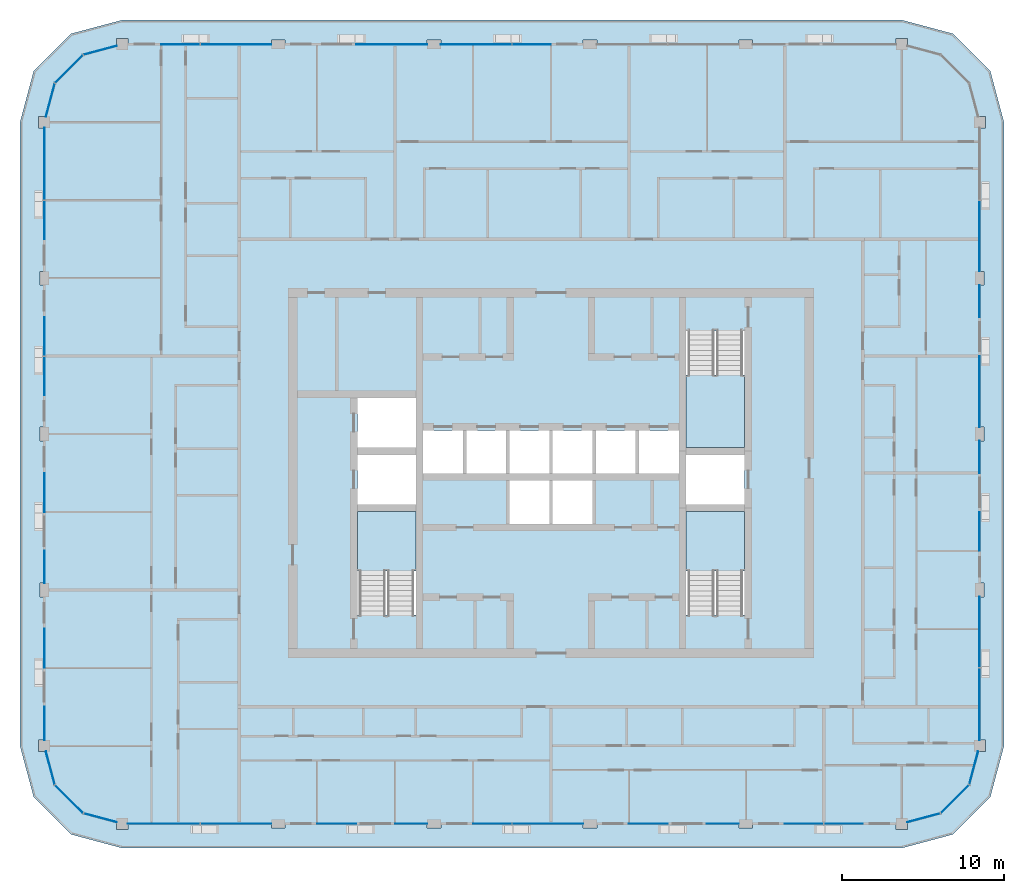
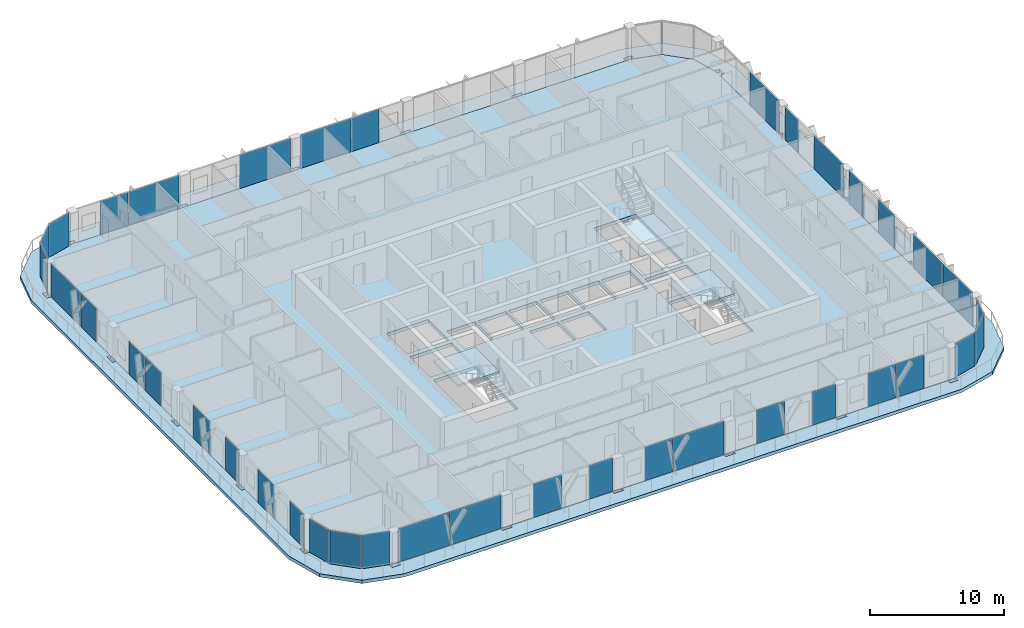
# One storey, part 7 of 22: 39 plates, 5 slabs, 22 elements without a shape of their own.
"""IFC4 building model written with IfcOpenShell, lengths in metres."""

from ifc_helpers import new_model, si_unit, direction, frame, origin, origin_2d, place, context, subcontext, project, spatial, polyline, rectangle, outline, extrude, material, layer, layer_set, type_object, element, aggregate, save


model = new_model("IFC4")

# Units and contexts
model_context = context("Model", 3, precision=1e-05, world=origin(), true_north=direction((0.0, 1.0)))
body_context = subcontext(model_context, "Body", "Model", "MODEL_VIEW")
ifc_project = project(units=[si_unit("LENGTHUNIT", "METRE"), si_unit("AREAUNIT", "SQUARE_METRE"), si_unit("VOLUMEUNIT", "CUBIC_METRE"), si_unit("PLANEANGLEUNIT", "RADIAN"), si_unit("MASSUNIT", "GRAM", prefix="KILO")], contexts=[model_context])

# Site, building, storey
site_placement = place(None, origin())
site = spatial("IfcSite", under=ifc_project, at=site_placement, CompositionType="ELEMENT")
building_placement = place(site_placement, origin())
building = spatial("IfcBuilding", under=site, at=building_placement, Name="Madar Terraces", CompositionType="ELEMENT")
storey_placement = place(building_placement, frame((0.0, 0.0, 259.699951171875)))
storey = spatial("IfcBuildingStorey", under=building, at=storey_placement, Name="L68", CompositionType="ELEMENT", Elevation=259.699951171875)

# Slabs
ifc_material_1 = material(Name="Concrete C50/60", Category="concrete")
ifc_layer_1 = layer(ifc_material_1, 0.300048828125)
ifc_layer_set_1 = layer_set([ifc_layer_1], Name="Balcony band 300")
slab_type_1 = type_object("IfcSlabType", Name="Balcony band 300", PredefinedType="FLOOR", material=ifc_layer_set_1)
slab_1_placement = place(storey_placement, frame((0.0, 0.0, -0.300048828125)))
element("IfcSlab", 1, at=slab_1_placement, inside=storey, type_object=slab_type_1, Name="Balcony band", PredefinedType="FLOOR", context=body_context, shape_type="SweptSolid", body=[
    extrude(outline(polyline([(4.800048828125, 3.300048828125), (1.64990234375, 4.14404296875), (-0.656005859375, 6.449951171875), (-1.5, 9.60009765625), (-1.5, 48.0), (-0.656005859375, 51.14990234375), (1.64990234375, 53.4560546875), (4.800048828125, 54.300048828125), (52.800048828125, 54.300048828125), (55.949951171875, 53.4560546875), (58.256103515625, 51.14990234375), (59.10009765625, 48.0), (59.10009765625, 9.60009765625), (58.256103515625, 6.449951171875), (55.949951171875, 4.14404296875), (52.800048828125, 3.300048828125), (4.800048828125, 3.300048828125)]), holes=[polyline([(5.14990234375, 4.449951171875), (5.14990234375, 4.800048828125), (13.97509765625, 4.800048828125), (13.97509765625, 4.52490234375), (14.824951171875, 4.52490234375), (14.824951171875, 4.800048828125), (23.574951171875, 4.800048828125), (23.574951171875, 4.52490234375), (24.425048828125, 4.52490234375), (24.425048828125, 4.800048828125), (33.175048828125, 4.800048828125), (33.175048828125, 4.52490234375), (34.02490234375, 4.52490234375), (34.02490234375, 4.800048828125), (42.77490234375, 4.800048828125), (42.77490234375, 4.52490234375), (43.625, 4.52490234375), (43.625, 4.800048828125), (52.449951171875, 4.800048828125), (52.449951171875, 4.449951171875), (53.14990234375, 4.449951171875), (53.14990234375, 4.893798828125), (55.199951171875, 5.443115234375), (56.956787109375, 7.199951171875), (57.506103515625, 9.25), (57.949951171875, 9.25), (57.949951171875, 9.949951171875), (57.60009765625, 9.949951171875), (57.60009765625, 18.77490234375), (57.875, 18.77490234375), (57.875, 19.625), (57.60009765625, 19.625), (57.60009765625, 28.375), (57.875, 28.375), (57.875, 29.22509765625), (57.60009765625, 29.22509765625), (57.60009765625, 37.97509765625), (57.875, 37.97509765625), (57.875, 38.824951171875), (57.60009765625, 38.824951171875), (57.60009765625, 47.64990234375), (57.949951171875, 47.64990234375), (57.949951171875, 48.35009765625), (57.506103515625, 48.35009765625), (56.956787109375, 50.39990234375), (55.199951171875, 52.156982421875), (53.14990234375, 52.706298828125), (53.14990234375, 53.14990234375), (52.449951171875, 53.14990234375), (52.449951171875, 52.800048828125), (43.625, 52.800048828125), (43.625, 53.074951171875), (42.77490234375, 53.074951171875), (42.77490234375, 52.800048828125), (34.02490234375, 52.800048828125), (34.02490234375, 53.074951171875), (33.175048828125, 53.074951171875), (33.175048828125, 52.800048828125), (24.425048828125, 52.800048828125), (24.425048828125, 53.074951171875), (23.574951171875, 53.074951171875), (23.574951171875, 52.800048828125), (14.824951171875, 52.800048828125), (14.824951171875, 53.074951171875), (13.97509765625, 53.074951171875), (13.97509765625, 52.800048828125), (5.14990234375, 52.800048828125), (5.14990234375, 53.14990234375), (4.449951171875, 53.14990234375), (4.449951171875, 52.706298828125), (2.39990234375, 52.156982421875), (0.64306640625, 50.39990234375), (0.09375, 48.35009765625), (-0.35009765625, 48.35009765625), (-0.35009765625, 47.64990234375), (0.0, 47.64990234375), (0.0, 38.824951171875), (-0.27490234375, 38.824951171875), (-0.27490234375, 37.97509765625), (0.0, 37.97509765625), (0.0, 29.22509765625), (-0.27490234375, 29.22509765625), (-0.27490234375, 28.375), (0.0, 28.375), (0.0, 19.625), (-0.27490234375, 19.625), (-0.27490234375, 18.77490234375), (0.0, 18.77490234375), (0.0, 9.949951171875), (-0.35009765625, 9.949951171875), (-0.35009765625, 9.25), (0.09375, 9.25), (0.64306640625, 7.199951171875), (2.39990234375, 5.443115234375), (4.449951171875, 4.893798828125), (4.449951171875, 4.449951171875), (5.14990234375, 4.449951171875)])]), origin(), (0.0, 0.0, 1.0), 0.300048828125),
])
ifc_material_2 = material(Name="Concrete C50/60", Category="concrete")
ifc_layer_2 = layer(ifc_material_2, 0.300048828125)
ifc_layer_set_2 = layer_set([ifc_layer_2], Name="FS2 PT flat slab 300")
slab_type_2 = type_object("IfcSlabType", Name="FS2 PT flat slab 300", PredefinedType="FLOOR", material=ifc_layer_set_2)
slab_2_placement = place(storey_placement, frame((0.0, 0.0, -0.300048828125)))
element("IfcSlab", 2, at=slab_2_placement, inside=storey, type_object=slab_type_2, Name="Floor slab L68 (1)", PredefinedType="FLOOR", context=body_context, shape_type="SweptSolid", body=[
    extrude(outline(polyline([(52.800048828125, 4.800048828125), (55.199951171875, 5.443115234375), (56.95703125, 7.199951171875), (57.60009765625, 9.60009765625), (57.60009765625, 48.0), (56.95703125, 50.39990234375), (55.199951171875, 52.156982421875), (52.800048828125, 52.800048828125), (4.800048828125, 52.800048828125), (2.39990234375, 52.156982421875), (0.64306640625, 50.39990234375), (0.0, 48.0), (0.0, 9.60009765625), (0.64306640625, 7.199951171875), (2.39990234375, 5.443115234375), (4.800048828125, 4.800048828125), (52.800048828125, 4.800048828125)]), holes=[polyline([(22.875, 17.64990234375), (19.27490234375, 17.64990234375), (19.27490234375, 24.02490234375), (22.875, 24.02490234375), (22.875, 17.64990234375)]), polyline([(28.6416015625, 23.27490234375), (28.6416015625, 25.925048828125), (31.10009765625, 25.925048828125), (31.10009765625, 23.27490234375), (28.6416015625, 23.27490234375)]), polyline([(19.27490234375, 24.47509765625), (19.27490234375, 27.52490234375), (22.875, 27.52490234375), (22.875, 24.47509765625), (19.27490234375, 24.47509765625)]), polyline([(23.324951171875, 26.375), (23.324951171875, 29.02490234375), (25.783447265625, 29.02490234375), (25.783447265625, 26.375), (23.324951171875, 26.375)]), polyline([(25.9833984375, 26.375), (25.9833984375, 29.02490234375), (28.441650390625, 29.02490234375), (28.441650390625, 26.375), (25.9833984375, 26.375)]), polyline([(28.6416015625, 26.375), (28.6416015625, 29.02490234375), (31.10009765625, 29.02490234375), (31.10009765625, 26.375), (28.6416015625, 26.375)]), polyline([(19.27490234375, 27.97509765625), (19.27490234375, 31.02490234375), (22.875, 31.02490234375), (22.875, 27.97509765625), (19.27490234375, 27.97509765625)]), polyline([(43.125, 17.64990234375), (39.52490234375, 17.64990234375), (39.52490234375, 24.02490234375), (43.125, 24.02490234375), (43.125, 17.64990234375)]), polyline([(31.300048828125, 23.27490234375), (31.300048828125, 25.925048828125), (33.75830078125, 25.925048828125), (33.75830078125, 23.27490234375), (31.300048828125, 23.27490234375)]), polyline([(39.52490234375, 24.47509765625), (39.52490234375, 27.52490234375), (43.125, 27.52490234375), (43.125, 24.47509765625), (39.52490234375, 24.47509765625)]), polyline([(31.300048828125, 26.375), (31.300048828125, 29.02490234375), (33.75830078125, 29.02490234375), (33.75830078125, 26.375), (31.300048828125, 26.375)]), polyline([(33.958251953125, 26.375), (33.958251953125, 29.02490234375), (36.416748046875, 29.02490234375), (36.416748046875, 26.375), (33.958251953125, 26.375)]), polyline([(36.61669921875, 26.375), (36.61669921875, 29.02490234375), (39.074951171875, 29.02490234375), (39.074951171875, 26.375), (36.61669921875, 26.375)]), polyline([(39.52490234375, 27.97509765625), (39.52490234375, 35.14990234375), (43.125, 35.14990234375), (43.125, 27.97509765625), (39.52490234375, 27.97509765625)])]), origin(), (0.0, 0.0, 1.0), 0.300048828125),
])

# Curtain wall, plates
ifc_material_3 = material(Name="Glass, ceramic frit dark grey, with black aluminium frame", Category="aluminium")
ifc_layer_3 = layer(ifc_material_3, 0.199951171875)
ifc_layer_set_3 = layer_set([ifc_layer_3], Name="Facade curtain wall, fritted glass")
curtain_wall_type = type_object("IfcCurtainWallType", Name="Facade curtain wall, fritted glass", PredefinedType="NOTDEFINED", material=ifc_layer_set_3)
curtain_wall_1_placement = place(storey_placement, origin())
curtain_wall_1 = element("IfcCurtainWall", 3, at=curtain_wall_1_placement, inside=storey, type_object=curtain_wall_type, Name="Outer skin curtain wall south bay 1", PredefinedType="NOTDEFINED")
ifc_material_4 = material(Name="Glass, ceramic frit dark grey", Category="glass")
ifc_layer_4 = layer(ifc_material_4, 0.028076171875)
ifc_layer_set_4 = layer_set([ifc_layer_4], Name="Facade glass panel 28")
plate_type = type_object("IfcPlateType", Name="Facade glass panel 28", PredefinedType="CURTAIN_PANEL", material=ifc_layer_set_4)
plate_1_placement = place(storey_placement, frame((7.360107421875, 4.800048828125, 0.0), z_axis=(0.0, 0.0, 1.0), x_axis=(1.0, 0.0, 0.0)))
plate_1 = element("IfcPlate", 4, at=plate_1_placement, type_object=plate_type, Name="Panel 1", PredefinedType="CURTAIN_PANEL", context=body_context, shape_type="SweptSolid", body=[
    extrude(rectangle(XDim=4.419921875, YDim=0.028076171875, at=origin_2d()), origin(), (0.0, 0.0, 1.0), 3.0400390625),
])
plate_2_placement = place(storey_placement, frame((11.802490234375, 4.800048828125, 0.0), z_axis=(0.0, 0.0, 1.0), x_axis=(1.0, 0.0, 0.0)))
plate_2 = element("IfcPlate", 5, at=plate_2_placement, type_object=plate_type, Name="Panel 2", PredefinedType="CURTAIN_PANEL", context=body_context, shape_type="SweptSolid", body=[
    extrude(rectangle(XDim=4.344970703125, YDim=0.028076171875, at=origin_2d()), origin(), (0.0, 0.0, 1.0), 3.0400390625),
])
aggregate(curtain_wall_1, [plate_1, plate_2])

curtain_wall_2_placement = place(storey_placement, origin())
curtain_wall_2 = element("IfcCurtainWall", 6, at=curtain_wall_2_placement, inside=storey, type_object=curtain_wall_type, Name="Outer skin curtain wall south bay 2", PredefinedType="NOTDEFINED")
plate_3_placement = place(storey_placement, frame((18.0, 4.800048828125, 0.0), z_axis=(0.0, 0.0, 1.0), x_axis=(1.0, 0.0, 0.0)))
plate_3 = element("IfcPlate", 7, at=plate_3_placement, type_object=plate_type, Name="Panel 1", PredefinedType="CURTAIN_PANEL", context=body_context, shape_type="SweptSolid", body=[
    extrude(rectangle(XDim=2.39990234375, YDim=0.028076171875, at=origin_2d()), origin(), (0.0, 0.0, 1.0), 3.0400390625),
])
plate_4_placement = place(storey_placement, frame((22.58740234375, 4.800048828125, 0.0), z_axis=(0.0, 0.0, 1.0), x_axis=(1.0, 0.0, 0.0)))
plate_4 = element("IfcPlate", 8, at=plate_4_placement, type_object=plate_type, Name="Panel 2", PredefinedType="CURTAIN_PANEL", context=body_context, shape_type="SweptSolid", body=[
    extrude(rectangle(XDim=1.97509765625, YDim=0.028076171875, at=origin_2d()), origin(), (0.0, 0.0, 1.0), 3.0400390625),
])
aggregate(curtain_wall_2, [plate_3, plate_4])

curtain_wall_3_placement = place(storey_placement, origin())
curtain_wall_3 = element("IfcCurtainWall", 9, at=curtain_wall_3_placement, inside=storey, type_object=curtain_wall_type, Name="Outer skin curtain wall south bay 3", PredefinedType="NOTDEFINED")
plate_5_placement = place(storey_placement, frame((27.5849609375, 4.800048828125, 0.0), z_axis=(0.0, 0.0, 1.0), x_axis=(1.0, 0.0, 0.0)))
plate_5 = element("IfcPlate", 10, at=plate_5_placement, type_object=plate_type, Name="Panel 1", PredefinedType="CURTAIN_PANEL", context=body_context, shape_type="SweptSolid", body=[
    extrude(rectangle(XDim=2.3701171875, YDim=0.028076171875, at=origin_2d()), origin(), (0.0, 0.0, 1.0), 3.0400390625),
])
plate_6_placement = place(storey_placement, frame((31.00244140625, 4.800048828125, 0.0), z_axis=(0.0, 0.0, 1.0), x_axis=(1.0, 0.0, 0.0)))
plate_6 = element("IfcPlate", 11, at=plate_6_placement, type_object=plate_type, Name="Panel 2", PredefinedType="CURTAIN_PANEL", context=body_context, shape_type="SweptSolid", body=[
    extrude(rectangle(XDim=4.344970703125, YDim=0.028076171875, at=origin_2d()), origin(), (0.0, 0.0, 1.0), 3.0400390625),
])
aggregate(curtain_wall_3, [plate_5, plate_6])

curtain_wall_4_placement = place(storey_placement, origin())
curtain_wall_4 = element("IfcCurtainWall", 12, at=curtain_wall_4_placement, inside=storey, type_object=curtain_wall_type, Name="Outer skin curtain wall south bay 4", PredefinedType="NOTDEFINED")
plate_7_placement = place(storey_placement, frame((37.199951171875, 4.800048828125, 0.0), z_axis=(0.0, 0.0, 1.0), x_axis=(1.0, 0.0, 0.0)))
plate_7 = element("IfcPlate", 13, at=plate_7_placement, type_object=plate_type, Name="Panel 1", PredefinedType="CURTAIN_PANEL", context=body_context, shape_type="SweptSolid", body=[
    extrude(rectangle(XDim=2.39990234375, YDim=0.028076171875, at=origin_2d()), origin(), (0.0, 0.0, 1.0), 3.0400390625),
])
plate_8_placement = place(storey_placement, frame((41.78759765625, 4.800048828125, 0.0), z_axis=(0.0, 0.0, 1.0), x_axis=(1.0, 0.0, 0.0)))
plate_8 = element("IfcPlate", 14, at=plate_8_placement, type_object=plate_type, Name="Panel 2", PredefinedType="CURTAIN_PANEL", context=body_context, shape_type="SweptSolid", body=[
    extrude(rectangle(XDim=1.97509765625, YDim=0.028076171875, at=origin_2d()), origin(), (0.0, 0.0, 1.0), 3.0400390625),
])
aggregate(curtain_wall_4, [plate_7, plate_8])

curtain_wall_5_placement = place(storey_placement, origin())
curtain_wall_5 = element("IfcCurtainWall", 15, at=curtain_wall_5_placement, inside=storey, type_object=curtain_wall_type, Name="Outer skin curtain wall south bay 5", PredefinedType="NOTDEFINED")
plate_9_placement = place(storey_placement, frame((46.784912109375, 4.800048828125, 0.0), z_axis=(0.0, 0.0, 1.0), x_axis=(1.0, 0.0, 0.0)))
plate_9 = element("IfcPlate", 16, at=plate_9_placement, type_object=plate_type, Name="Panel 1", PredefinedType="CURTAIN_PANEL", context=body_context, shape_type="SweptSolid", body=[
    extrude(rectangle(XDim=2.3701171875, YDim=0.028076171875, at=origin_2d()), origin(), (0.0, 0.0, 1.0), 3.0400390625),
])
plate_10_placement = place(storey_placement, frame((49.215087890625, 4.800048828125, 0.0), z_axis=(0.0, 0.0, 1.0), x_axis=(1.0, 0.0, 0.0)))
plate_10 = element("IfcPlate", 17, at=plate_10_placement, type_object=plate_type, Name="Panel 2", PredefinedType="CURTAIN_PANEL", context=body_context, shape_type="SweptSolid", body=[
    extrude(rectangle(XDim=2.3701171875, YDim=0.028076171875, at=origin_2d()), origin(), (0.0, 0.0, 1.0), 3.0400390625),
])
aggregate(curtain_wall_5, [plate_9, plate_10])

curtain_wall_6_placement = place(storey_placement, origin())
curtain_wall_6 = element("IfcCurtainWall", 18, at=curtain_wall_6_placement, inside=storey, type_object=curtain_wall_type, Name="Outer skin curtain wall east bay 1", PredefinedType="NOTDEFINED")
plate_11_placement = place(storey_placement, frame((57.60009765625, 12.159912109375, 0.0), z_axis=(0.0, 0.0, 1.0), x_axis=(0.0, 1.0, 0.0)))
plate_11 = element("IfcPlate", 19, at=plate_11_placement, type_object=plate_type, Name="Panel 1", PredefinedType="CURTAIN_PANEL", context=body_context, shape_type="SweptSolid", body=[
    extrude(rectangle(XDim=4.419921875, YDim=0.028076171875, at=origin_2d()), origin(), (0.0, 0.0, 1.0), 3.0400390625),
])
plate_12_placement = place(storey_placement, frame((57.60009765625, 16.6025390625, 0.0), z_axis=(0.0, 0.0, 1.0), x_axis=(0.0, 1.0, 0.0)))
plate_12 = element("IfcPlate", 20, at=plate_12_placement, type_object=plate_type, Name="Panel 2", PredefinedType="CURTAIN_PANEL", context=body_context, shape_type="SweptSolid", body=[
    extrude(rectangle(XDim=4.344970703125, YDim=0.028076171875, at=origin_2d()), origin(), (0.0, 0.0, 1.0), 3.0400390625),
])
aggregate(curtain_wall_6, [plate_11, plate_12])

curtain_wall_7_placement = place(storey_placement, origin())
curtain_wall_7 = element("IfcCurtainWall", 21, at=curtain_wall_7_placement, inside=storey, type_object=curtain_wall_type, Name="Outer skin curtain wall east bay 2", PredefinedType="NOTDEFINED")
plate_13_placement = place(storey_placement, frame((57.60009765625, 22.800048828125, 0.0), z_axis=(0.0, 0.0, 1.0), x_axis=(0.0, 1.0, 0.0)))
plate_13 = element("IfcPlate", 22, at=plate_13_placement, type_object=plate_type, Name="Panel 1", PredefinedType="CURTAIN_PANEL", context=body_context, shape_type="SweptSolid", body=[
    extrude(rectangle(XDim=2.39990234375, YDim=0.028076171875, at=origin_2d()), origin(), (0.0, 0.0, 1.0), 3.0400390625),
])
plate_14_placement = place(storey_placement, frame((57.60009765625, 27.387451171875, 0.0), z_axis=(0.0, 0.0, 1.0), x_axis=(0.0, 1.0, 0.0)))
plate_14 = element("IfcPlate", 23, at=plate_14_placement, type_object=plate_type, Name="Panel 2", PredefinedType="CURTAIN_PANEL", context=body_context, shape_type="SweptSolid", body=[
    extrude(rectangle(XDim=1.97509765625, YDim=0.028076171875, at=origin_2d()), origin(), (0.0, 0.0, 1.0), 3.0400390625),
])
aggregate(curtain_wall_7, [plate_13, plate_14])

curtain_wall_8_placement = place(storey_placement, origin())
curtain_wall_8 = element("IfcCurtainWall", 24, at=curtain_wall_8_placement, inside=storey, type_object=curtain_wall_type, Name="Outer skin curtain wall east bay 3", PredefinedType="NOTDEFINED")
plate_15_placement = place(storey_placement, frame((57.60009765625, 31.41259765625, 0.0), z_axis=(0.0, 0.0, 1.0), x_axis=(0.0, 1.0, 0.0)))
plate_15 = element("IfcPlate", 25, at=plate_15_placement, type_object=plate_type, Name="Panel 1", PredefinedType="CURTAIN_PANEL", context=body_context, shape_type="SweptSolid", body=[
    extrude(rectangle(XDim=4.375, YDim=0.028076171875, at=origin_2d()), origin(), (0.0, 0.0, 1.0), 3.0400390625),
])
plate_16_placement = place(storey_placement, frame((57.60009765625, 36.987548828125, 0.0), z_axis=(0.0, 0.0, 1.0), x_axis=(0.0, 1.0, 0.0)))
plate_16 = element("IfcPlate", 26, at=plate_16_placement, type_object=plate_type, Name="Panel 2", PredefinedType="CURTAIN_PANEL", context=body_context, shape_type="SweptSolid", body=[
    extrude(rectangle(XDim=1.97509765625, YDim=0.028076171875, at=origin_2d()), origin(), (0.0, 0.0, 1.0), 3.0400390625),
])
aggregate(curtain_wall_8, [plate_15, plate_16])

# Curtain wall, plate
curtain_wall_9_placement = place(storey_placement, origin())
curtain_wall_9 = element("IfcCurtainWall", 27, at=curtain_wall_9_placement, inside=storey, type_object=curtain_wall_type, Name="Outer skin curtain wall east bay 4", PredefinedType="NOTDEFINED")
plate_17_placement = place(storey_placement, frame((57.60009765625, 40.99755859375, 0.0), z_axis=(0.0, 0.0, 1.0), x_axis=(0.0, 1.0, 0.0)))
plate_17 = element("IfcPlate", 28, at=plate_17_placement, type_object=plate_type, Name="Panel 1", PredefinedType="CURTAIN_PANEL", context=body_context, shape_type="SweptSolid", body=[
    extrude(rectangle(XDim=4.344970703125, YDim=0.028076171875, at=origin_2d()), origin(), (0.0, 0.0, 1.0), 3.0400390625),
])
aggregate(curtain_wall_9, [plate_17])

# Curtain wall, plates
curtain_wall_10_placement = place(storey_placement, origin())
curtain_wall_10 = element("IfcCurtainWall", 29, at=curtain_wall_10_placement, inside=storey, type_object=curtain_wall_type, Name="Outer skin curtain wall north bay 3", PredefinedType="NOTDEFINED")
plate_18_placement = place(storey_placement, frame((30.014892578125, 52.800048828125, 0.0), z_axis=(0.0, 0.0, 1.0), x_axis=(-1.0, 0.0, 0.0)))
plate_18 = element("IfcPlate", 30, at=plate_18_placement, type_object=plate_type, Name="Panel 1", PredefinedType="CURTAIN_PANEL", context=body_context, shape_type="SweptSolid", body=[
    extrude(rectangle(XDim=2.3701171875, YDim=0.028076171875, at=origin_2d()), origin(), (0.0, 0.0, 1.0), 3.0400390625),
])
plate_19_placement = place(storey_placement, frame((26.597412109375, 52.800048828125, 0.0), z_axis=(0.0, 0.0, 1.0), x_axis=(-1.0, 0.0, 0.0)))
plate_19 = element("IfcPlate", 31, at=plate_19_placement, type_object=plate_type, Name="Panel 2", PredefinedType="CURTAIN_PANEL", context=body_context, shape_type="SweptSolid", body=[
    extrude(rectangle(XDim=4.344970703125, YDim=0.028076171875, at=origin_2d()), origin(), (0.0, 0.0, 1.0), 3.0400390625),
])
aggregate(curtain_wall_10, [plate_18, plate_19])

# Curtain wall, plate
curtain_wall_11_placement = place(storey_placement, origin())
curtain_wall_11 = element("IfcCurtainWall", 32, at=curtain_wall_11_placement, inside=storey, type_object=curtain_wall_type, Name="Outer skin curtain wall north bay 4", PredefinedType="NOTDEFINED")
plate_20_placement = place(storey_placement, frame((21.387451171875, 52.800048828125, 0.0), z_axis=(0.0, 0.0, 1.0), x_axis=(-1.0, 0.0, 0.0)))
plate_20 = element("IfcPlate", 33, at=plate_20_placement, type_object=plate_type, Name="Panel 1", PredefinedType="CURTAIN_PANEL", context=body_context, shape_type="SweptSolid", body=[
    extrude(rectangle(XDim=4.375, YDim=0.028076171875, at=origin_2d()), origin(), (0.0, 0.0, 1.0), 3.0400390625),
])
aggregate(curtain_wall_11, [plate_20])

# Curtain wall, plates
curtain_wall_12_placement = place(storey_placement, origin())
curtain_wall_12 = element("IfcCurtainWall", 34, at=curtain_wall_12_placement, inside=storey, type_object=curtain_wall_type, Name="Outer skin curtain wall north bay 5", PredefinedType="NOTDEFINED")
plate_21_placement = place(storey_placement, frame((11.802490234375, 52.800048828125, 0.0), z_axis=(0.0, 0.0, 1.0), x_axis=(-1.0, 0.0, 0.0)))
plate_21 = element("IfcPlate", 35, at=plate_21_placement, type_object=plate_type, Name="Panel 1", PredefinedType="CURTAIN_PANEL", context=body_context, shape_type="SweptSolid", body=[
    extrude(rectangle(XDim=4.344970703125, YDim=0.028076171875, at=origin_2d()), origin(), (0.0, 0.0, 1.0), 3.0400390625),
])
plate_22_placement = place(storey_placement, frame((8.385009765625, 52.800048828125, 0.0), z_axis=(0.0, 0.0, 1.0), x_axis=(-1.0, 0.0, 0.0)))
plate_22 = element("IfcPlate", 36, at=plate_22_placement, type_object=plate_type, Name="Panel 2", PredefinedType="CURTAIN_PANEL", context=body_context, shape_type="SweptSolid", body=[
    extrude(rectangle(XDim=2.3701171875, YDim=0.028076171875, at=origin_2d()), origin(), (0.0, 0.0, 1.0), 3.0400390625),
])
aggregate(curtain_wall_12, [plate_21, plate_22])

curtain_wall_13_placement = place(storey_placement, origin())
curtain_wall_13 = element("IfcCurtainWall", 37, at=curtain_wall_13_placement, inside=storey, type_object=curtain_wall_type, Name="Outer skin curtain wall west bay 1", PredefinedType="NOTDEFINED")
plate_23_placement = place(storey_placement, frame((0.0, 45.43994140625, 0.0), z_axis=(0.0, 0.0, 1.0), x_axis=(0.0, -1.0, 0.0)))
plate_23 = element("IfcPlate", 38, at=plate_23_placement, type_object=plate_type, Name="Panel 1", PredefinedType="CURTAIN_PANEL", context=body_context, shape_type="SweptSolid", body=[
    extrude(rectangle(XDim=4.419921875, YDim=0.028076171875, at=origin_2d()), origin(), (0.0, 0.0, 1.0), 3.0400390625),
])
plate_24_placement = place(storey_placement, frame((0.0, 41.985107421875, 0.0), z_axis=(0.0, 0.0, 1.0), x_axis=(0.0, -1.0, 0.0)))
plate_24 = element("IfcPlate", 39, at=plate_24_placement, type_object=plate_type, Name="Panel 2", PredefinedType="CURTAIN_PANEL", context=body_context, shape_type="SweptSolid", body=[
    extrude(rectangle(XDim=2.3701171875, YDim=0.028076171875, at=origin_2d()), origin(), (0.0, 0.0, 1.0), 3.0400390625),
])
aggregate(curtain_wall_13, [plate_23, plate_24])

curtain_wall_14_placement = place(storey_placement, origin())
curtain_wall_14 = element("IfcCurtainWall", 40, at=curtain_wall_14_placement, inside=storey, type_object=curtain_wall_type, Name="Outer skin curtain wall west bay 2", PredefinedType="NOTDEFINED")
plate_25_placement = place(storey_placement, frame((0.0, 34.81494140625, 0.0), z_axis=(0.0, 0.0, 1.0), x_axis=(0.0, -1.0, 0.0)))
plate_25 = element("IfcPlate", 41, at=plate_25_placement, type_object=plate_type, Name="Panel 1", PredefinedType="CURTAIN_PANEL", context=body_context, shape_type="SweptSolid", body=[
    extrude(rectangle(XDim=2.3701171875, YDim=0.028076171875, at=origin_2d()), origin(), (0.0, 0.0, 1.0), 3.0400390625),
])
plate_26_placement = place(storey_placement, frame((0.0, 32.385009765625, 0.0), z_axis=(0.0, 0.0, 1.0), x_axis=(0.0, -1.0, 0.0)))
plate_26 = element("IfcPlate", 42, at=plate_26_placement, type_object=plate_type, Name="Panel 2", PredefinedType="CURTAIN_PANEL", context=body_context, shape_type="SweptSolid", body=[
    extrude(rectangle(XDim=2.3701171875, YDim=0.028076171875, at=origin_2d()), origin(), (0.0, 0.0, 1.0), 3.0400390625),
])
aggregate(curtain_wall_14, [plate_25, plate_26])

curtain_wall_15_placement = place(storey_placement, origin())
curtain_wall_15 = element("IfcCurtainWall", 43, at=curtain_wall_15_placement, inside=storey, type_object=curtain_wall_type, Name="Outer skin curtain wall west bay 3", PredefinedType="NOTDEFINED")
plate_27_placement = place(storey_placement, frame((0.0, 25.199951171875, 0.0), z_axis=(0.0, 0.0, 1.0), x_axis=(0.0, -1.0, 0.0)))
plate_27 = element("IfcPlate", 44, at=plate_27_placement, type_object=plate_type, Name="Panel 1", PredefinedType="CURTAIN_PANEL", context=body_context, shape_type="SweptSolid", body=[
    extrude(rectangle(XDim=2.39990234375, YDim=0.028076171875, at=origin_2d()), origin(), (0.0, 0.0, 1.0), 3.0400390625),
])
plate_28_placement = place(storey_placement, frame((0.0, 20.612548828125, 0.0), z_axis=(0.0, 0.0, 1.0), x_axis=(0.0, -1.0, 0.0)))
plate_28 = element("IfcPlate", 45, at=plate_28_placement, type_object=plate_type, Name="Panel 2", PredefinedType="CURTAIN_PANEL", context=body_context, shape_type="SweptSolid", body=[
    extrude(rectangle(XDim=1.97509765625, YDim=0.028076171875, at=origin_2d()), origin(), (0.0, 0.0, 1.0), 3.0400390625),
])
aggregate(curtain_wall_15, [plate_27, plate_28])

curtain_wall_16_placement = place(storey_placement, origin())
curtain_wall_16 = element("IfcCurtainWall", 46, at=curtain_wall_16_placement, inside=storey, type_object=curtain_wall_type, Name="Outer skin curtain wall west bay 4", PredefinedType="NOTDEFINED")
plate_29_placement = place(storey_placement, frame((0.0, 15.60009765625, 0.0), z_axis=(0.0, 0.0, 1.0), x_axis=(0.0, -1.0, 0.0)))
plate_29 = element("IfcPlate", 47, at=plate_29_placement, type_object=plate_type, Name="Panel 1", PredefinedType="CURTAIN_PANEL", context=body_context, shape_type="SweptSolid", body=[
    extrude(rectangle(XDim=2.39990234375, YDim=0.028076171875, at=origin_2d()), origin(), (0.0, 0.0, 1.0), 3.0400390625),
])
plate_30_placement = place(storey_placement, frame((0.0, 10.97509765625, 0.0), z_axis=(0.0, 0.0, 1.0), x_axis=(0.0, -1.0, 0.0)))
plate_30 = element("IfcPlate", 48, at=plate_30_placement, type_object=plate_type, Name="Panel 2", PredefinedType="CURTAIN_PANEL", context=body_context, shape_type="SweptSolid", body=[
    extrude(rectangle(XDim=2.050048828125, YDim=0.028076171875, at=origin_2d()), origin(), (0.0, 0.0, 1.0), 3.0400390625),
])
aggregate(curtain_wall_16, [plate_29, plate_30])

curtain_wall_17_placement = place(storey_placement, origin())
curtain_wall_17 = element("IfcCurtainWall", 49, at=curtain_wall_17_placement, inside=storey, type_object=curtain_wall_type, Name="Outer skin curtain wall south-east corner", PredefinedType="NOTDEFINED")
plate_31_placement = place(storey_placement, frame((54.160400390625, 5.16455078125, 0.0), z_axis=(0.0, 0.0, 1.0), x_axis=(0.965925832509, 0.258819021888, 0.0)))
plate_31 = element("IfcPlate", 50, at=plate_31_placement, type_object=plate_type, Name="Panel 1", PredefinedType="CURTAIN_PANEL", context=body_context, shape_type="SweptSolid", body=[
    extrude(rectangle(XDim=2.09228515625, YDim=0.028076171875, at=origin_2d()), origin(), (0.0, 0.0, 1.0), 3.0400390625),
])
plate_32_placement = place(storey_placement, frame((56.078369140625, 6.321533203125, 0.0), z_axis=(0.0, 0.0, 1.0), x_axis=(0.707106781187, 0.707106781187, 0.0)))
plate_32 = element("IfcPlate", 51, at=plate_32_placement, type_object=plate_type, Name="Panel 2", PredefinedType="CURTAIN_PANEL", context=body_context, shape_type="SweptSolid", body=[
    extrude(rectangle(XDim=2.424560546875, YDim=0.028076171875, at=origin_2d()), origin(), (0.0, 0.0, 1.0), 3.0400390625),
])
plate_33_placement = place(storey_placement, frame((57.2353515625, 8.239501953125, 0.0), z_axis=(0.0, 0.0, 1.0), x_axis=(0.258819021888, 0.965925832509, 0.0)))
plate_33 = element("IfcPlate", 52, at=plate_33_placement, type_object=plate_type, Name="Panel 3", PredefinedType="CURTAIN_PANEL", context=body_context, shape_type="SweptSolid", body=[
    extrude(rectangle(XDim=2.09228515625, YDim=0.028076171875, at=origin_2d()), origin(), (0.0, 0.0, 1.0), 3.0400390625),
])
aggregate(curtain_wall_17, [plate_31, plate_32, plate_33])

curtain_wall_18_placement = place(storey_placement, origin())
curtain_wall_18 = element("IfcCurtainWall", 53, at=curtain_wall_18_placement, inside=storey, type_object=curtain_wall_type, Name="Outer skin curtain wall north-west corner", PredefinedType="NOTDEFINED")
plate_34_placement = place(storey_placement, frame((3.439453125, 52.435546875, 0.0), z_axis=(0.0, 0.0, 1.0), x_axis=(-0.965925832509, -0.258819021888, 0.0)))
plate_34 = element("IfcPlate", 54, at=plate_34_placement, type_object=plate_type, Name="Panel 1", PredefinedType="CURTAIN_PANEL", context=body_context, shape_type="SweptSolid", body=[
    extrude(rectangle(XDim=2.09228515625, YDim=0.028076171875, at=origin_2d()), origin(), (0.0, 0.0, 1.0), 3.0400390625),
])
plate_35_placement = place(storey_placement, frame((1.521484375, 51.278564453125, 0.0), z_axis=(0.0, 0.0, 1.0), x_axis=(-0.707106781187, -0.707106781187, 0.0)))
plate_35 = element("IfcPlate", 55, at=plate_35_placement, type_object=plate_type, Name="Panel 2", PredefinedType="CURTAIN_PANEL", context=body_context, shape_type="SweptSolid", body=[
    extrude(rectangle(XDim=2.424560546875, YDim=0.028076171875, at=origin_2d()), origin(), (0.0, 0.0, 1.0), 3.0400390625),
])
plate_36_placement = place(storey_placement, frame((0.364501953125, 49.360595703125, 0.0), z_axis=(0.0, 0.0, 1.0), x_axis=(-0.258819021888, -0.965925832509, 0.0)))
plate_36 = element("IfcPlate", 56, at=plate_36_placement, type_object=plate_type, Name="Panel 3", PredefinedType="CURTAIN_PANEL", context=body_context, shape_type="SweptSolid", body=[
    extrude(rectangle(XDim=2.09228515625, YDim=0.028076171875, at=origin_2d()), origin(), (0.0, 0.0, 1.0), 3.0400390625),
])
aggregate(curtain_wall_18, [plate_34, plate_35, plate_36])

curtain_wall_19_placement = place(storey_placement, origin())
curtain_wall_19 = element("IfcCurtainWall", 57, at=curtain_wall_19_placement, inside=storey, type_object=curtain_wall_type, Name="Outer skin curtain wall south-west corner", PredefinedType="NOTDEFINED")
plate_37_placement = place(storey_placement, frame((0.364501953125, 8.239501953125, 0.0), z_axis=(0.0, 0.0, 1.0), x_axis=(0.258819021888, -0.965925832509, 0.0)))
plate_37 = element("IfcPlate", 58, at=plate_37_placement, type_object=plate_type, Name="Panel 1", PredefinedType="CURTAIN_PANEL", context=body_context, shape_type="SweptSolid", body=[
    extrude(rectangle(XDim=2.09228515625, YDim=0.028076171875, at=origin_2d()), origin(), (0.0, 0.0, 1.0), 3.0400390625),
])
plate_38_placement = place(storey_placement, frame((1.521484375, 6.321533203125, 0.0), z_axis=(0.0, 0.0, 1.0), x_axis=(0.707106781187, -0.707106781187, 0.0)))
plate_38 = element("IfcPlate", 59, at=plate_38_placement, type_object=plate_type, Name="Panel 2", PredefinedType="CURTAIN_PANEL", context=body_context, shape_type="SweptSolid", body=[
    extrude(rectangle(XDim=2.424560546875, YDim=0.028076171875, at=origin_2d()), origin(), (0.0, 0.0, 1.0), 3.0400390625),
])
plate_39_placement = place(storey_placement, frame((3.439453125, 5.16455078125, 0.0), z_axis=(0.0, 0.0, 1.0), x_axis=(0.965925832509, -0.258819021888, 0.0)))
plate_39 = element("IfcPlate", 60, at=plate_39_placement, type_object=plate_type, Name="Panel 3", PredefinedType="CURTAIN_PANEL", context=body_context, shape_type="SweptSolid", body=[
    extrude(rectangle(XDim=2.09228515625, YDim=0.028076171875, at=origin_2d()), origin(), (0.0, 0.0, 1.0), 3.0400390625),
])
aggregate(curtain_wall_19, [plate_37, plate_38, plate_39])

# Stair, slab
ifc_material_5 = material(Name="Concrete C50/60", Category="concrete")
stair_type_1 = type_object("IfcStairType", Name="Stair ST1 protected exit", PredefinedType="HALF_TURN_STAIR", material=ifc_material_5)
stair_1_placement = place(storey_placement, origin())
stair_1 = element("IfcStair", 61, at=stair_1_placement, inside=storey, type_object=stair_type_1, Name="L68 Protected Exit Stair ST1", PredefinedType="HALF_TURN_STAIR")
ifc_material_6 = material(Name="Concrete C50/60", Category="concrete")
ifc_layer_5 = layer(ifc_material_6, 0.199951171875)
ifc_layer_set_5 = layer_set([ifc_layer_5], Name="Stair landing 200, top +1.75")
slab_type_3 = type_object("IfcSlabType", Name="Stair landing 200, top +1.75", PredefinedType="LANDING", material=ifc_layer_set_5)
slab_3_placement = place(storey_placement, frame((0.0, 0.0, 1.550048828125)))
slab_3 = element("IfcSlab", 62, at=slab_3_placement, type_object=slab_type_3, Name="ST1 landing 1", PredefinedType="LANDING", context=body_context, shape_type="SweptSolid", body=[
    extrude(outline(polyline([(19.27490234375, 20.360107421875), (22.875, 20.360107421875), (22.875, 24.02490234375), (19.27490234375, 24.02490234375), (19.27490234375, 20.360107421875)])), origin(), (0.0, 0.0, 1.0), 0.199951171875),
])
aggregate(stair_1, [slab_3])

ifc_material_7 = material(Name="Concrete C50/60", Category="concrete")
stair_type_2 = type_object("IfcStairType", Name="Stair ST2 protected exit", PredefinedType="HALF_TURN_STAIR", material=ifc_material_7)
stair_2_placement = place(storey_placement, origin())
stair_2 = element("IfcStair", 63, at=stair_2_placement, inside=storey, type_object=stair_type_2, Name="L68 Protected Exit Stair ST2", PredefinedType="HALF_TURN_STAIR")
slab_4_placement = place(storey_placement, frame((0.0, 0.0, 1.550048828125)))
slab_4 = element("IfcSlab", 64, at=slab_4_placement, type_object=slab_type_3, Name="ST2 landing 1", PredefinedType="LANDING", context=body_context, shape_type="SweptSolid", body=[
    extrude(outline(polyline([(39.52490234375, 27.97509765625), (43.125, 27.97509765625), (43.125, 32.43994140625), (39.52490234375, 32.43994140625), (39.52490234375, 27.97509765625)])), origin(), (0.0, 0.0, 1.0), 0.199951171875),
])
aggregate(stair_2, [slab_4])

ifc_material_8 = material(Name="Concrete C50/60", Category="concrete")
stair_type_3 = type_object("IfcStairType", Name="Stair ST3 protected exit", PredefinedType="HALF_TURN_STAIR", material=ifc_material_8)
stair_3_placement = place(storey_placement, origin())
stair_3 = element("IfcStair", 65, at=stair_3_placement, inside=storey, type_object=stair_type_3, Name="L68 Protected Exit Stair ST3", PredefinedType="HALF_TURN_STAIR")
slab_5_placement = place(storey_placement, frame((0.0, 0.0, 1.550048828125)))
slab_5 = element("IfcSlab", 66, at=slab_5_placement, type_object=slab_type_3, Name="ST3 landing 1", PredefinedType="LANDING", context=body_context, shape_type="SweptSolid", body=[
    extrude(outline(polyline([(39.52490234375, 20.360107421875), (43.125, 20.360107421875), (43.125, 24.02490234375), (39.52490234375, 24.02490234375), (39.52490234375, 20.360107421875)])), origin(), (0.0, 0.0, 1.0), 0.199951171875),
])
aggregate(stair_3, [slab_5])

save(model, "model.ifc")
